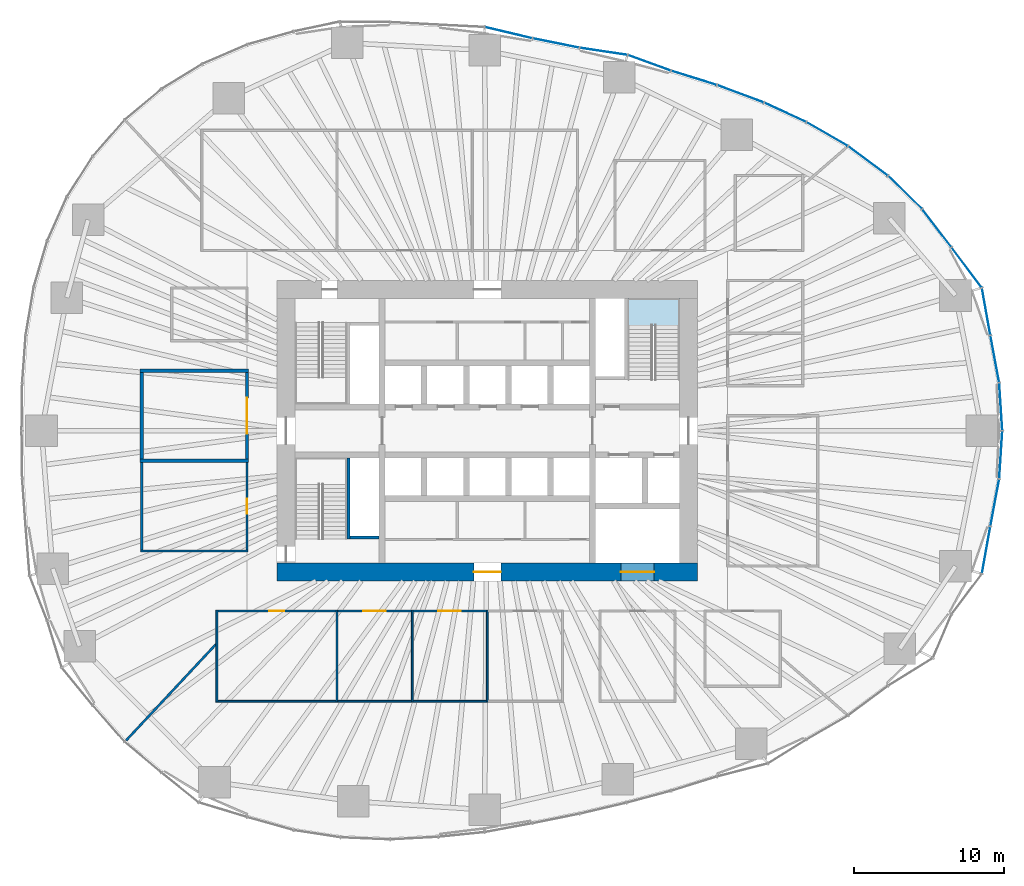
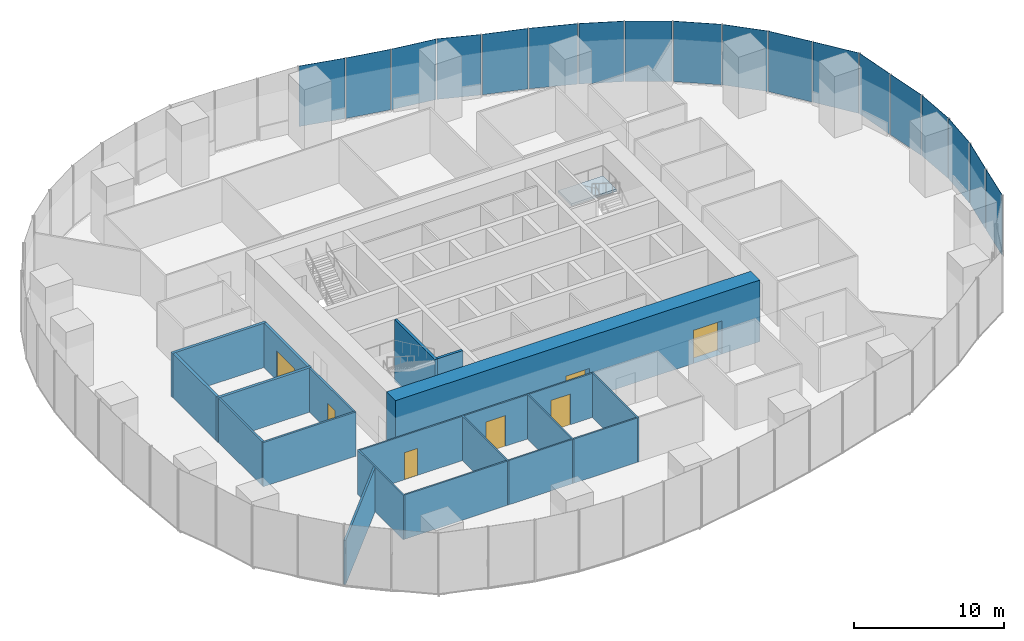
# One storey, part 9 of 20: 21 walls, 18 plates, 7 doors, 1 slab, 7 openings, 7 elements without a shape of their own.
"""IFC4 building model written with IfcOpenShell, lengths in metres."""

from ifc_helpers import new_model, si_unit, direction, frame, frame_2d, origin, origin_2d, place, context, subcontext, project, spatial, polyline, rectangle, outline, extrude, material, layer, layer_set, type_object, element, fill, aggregate, save


model = new_model("IFC4")

# Units and contexts
model_context = context("Model", 3, precision=1e-05, world=origin(), true_north=direction((0.0, 1.0)))
body_context = subcontext(model_context, "Body", "Model", "MODEL_VIEW")
ifc_project = project(units=[si_unit("LENGTHUNIT", "METRE"), si_unit("AREAUNIT", "SQUARE_METRE"), si_unit("VOLUMEUNIT", "CUBIC_METRE"), si_unit("PLANEANGLEUNIT", "RADIAN"), si_unit("MASSUNIT", "GRAM", prefix="KILO")], contexts=[model_context])

# Site, building, storey
site_placement = place(None, origin())
site = spatial("IfcSite", under=ifc_project, at=site_placement, CompositionType="ELEMENT")
building_placement = place(site_placement, origin())
building = spatial("IfcBuilding", under=site, at=building_placement, Name="Ghaith Harvest Tower", CompositionType="ELEMENT")
storey_placement = place(building_placement, frame((0.0, 0.0, 20.0)))
storey = spatial("IfcBuildingStorey", under=building, at=storey_placement, Name="L04", CompositionType="ELEMENT", Elevation=20.0)

# Curtain wall, plates
ifc_material_1 = material(Name="Black anodised aluminium and fritted glass", Category="aluminium")
curtain_wall_type = type_object("IfcCurtainWallType", Name="CW-F CURTAIN WALL", PredefinedType="NOTDEFINED", material=ifc_material_1)
curtain_wall_1_placement = place(storey_placement, origin())
curtain_wall_1 = element("IfcCurtainWall", 1, at=curtain_wall_1_placement, inside=storey, type_object=curtain_wall_type, Name="Curtain wall CW-F bay 01 L04", PredefinedType="NOTDEFINED")
ifc_material_2 = material(Name="Glass, high-transmission fritted double glazed unit", Category="glass")
ifc_layer_1 = layer(ifc_material_2, 0.028076171875)
ifc_layer_set_1 = layer_set([ifc_layer_1], Name="CW-F VISION PANEL")
plate_type = type_object("IfcPlateType", Name="CW-F VISION PANEL", PredefinedType="CURTAIN_PANEL", material=ifc_layer_set_1)
plate_1_placement = place(storey_placement, frame((34.181396484375, 1.602783203125, 0.080078125), z_axis=(0.0, 0.0, 1.0), x_axis=(-0.064445645786, 0.997921218704, 0.0)))
plate_1 = element("IfcPlate", 2, at=plate_1_placement, type_object=plate_type, Name="CW-F panel 1 bay 01 L04", PredefinedType="CURTAIN_PANEL", context=body_context, shape_type="SweptSolid", body=[
    extrude(rectangle(XDim=3.132080078125, YDim=0.028076171875, at=origin_2d()), origin(), (0.0, 0.0, 1.0), 4.919921875),
])
plate_2_placement = place(storey_placement, frame((33.78369140625, 4.78076171875, 0.080078125), z_axis=(0.0, 0.0, 1.0), x_axis=(-0.183569249502, 0.983006780565, 0.0)))
plate_2 = element("IfcPlate", 3, at=plate_2_placement, type_object=plate_type, Name="CW-F panel 2 bay 01 L04", PredefinedType="CURTAIN_PANEL", context=body_context, shape_type="SweptSolid", body=[
    extrude(rectangle(XDim=3.12548828125, YDim=0.028076171875, at=origin_2d()), origin(), (0.0, 0.0, 1.0), 4.919921875),
])
plate_3_placement = place(storey_placement, frame((33.20654296875, 7.93603515625, 0.080078125), z_axis=(0.0, 0.0, 1.0), x_axis=(-0.176319663586, 0.984332960046, 0.0)))
plate_3 = element("IfcPlate", 4, at=plate_3_placement, type_object=plate_type, Name="CW-F panel 3 bay 01 L04", PredefinedType="CURTAIN_PANEL", context=body_context, shape_type="SweptSolid", body=[
    extrude(rectangle(XDim=3.129638671875, YDim=0.028076171875, at=origin_2d()), origin(), (0.0, 0.0, 1.0), 4.919921875),
])
aggregate(curtain_wall_1, [plate_1, plate_2, plate_3])

curtain_wall_2_placement = place(storey_placement, origin())
curtain_wall_2 = element("IfcCurtainWall", 5, at=curtain_wall_2_placement, inside=storey, type_object=curtain_wall_type, Name="Curtain wall CW-F bay 02 L04", PredefinedType="NOTDEFINED")
plate_4_placement = place(storey_placement, frame((31.91015625, 10.865234375, 0.080078125), z_axis=(0.0, 0.0, 1.0), x_axis=(-0.600454091192, 0.799659230154, 0.0)))
plate_4 = element("IfcPlate", 6, at=plate_4_placement, type_object=plate_type, Name="CW-F panel 1 bay 02 L04", PredefinedType="CURTAIN_PANEL", context=body_context, shape_type="SweptSolid", body=[
    extrude(rectangle(XDim=3.295654296875, YDim=0.028076171875, at=origin_2d()), origin(), (0.0, 0.0, 1.0), 4.919921875),
])
plate_5_placement = place(storey_placement, frame((29.921875, 13.4892578125, 0.080078125), z_axis=(0.0, 0.0, 1.0), x_axis=(-0.607611877494, 0.794234100457, 0.0)))
plate_5 = element("IfcPlate", 7, at=plate_5_placement, type_object=plate_type, Name="CW-F panel 2 bay 02 L04", PredefinedType="CURTAIN_PANEL", context=body_context, shape_type="SweptSolid", body=[
    extrude(rectangle(XDim=3.128662109375, YDim=0.028076171875, at=origin_2d()), origin(), (0.0, 0.0, 1.0), 4.919921875),
])
plate_6_placement = place(storey_placement, frame((27.810546875, 15.869384765625, 0.080078125), z_axis=(0.0, 0.0, 1.0), x_axis=(-0.716691335472, 0.69739051446, 0.0)))
plate_6 = element("IfcPlate", 8, at=plate_6_placement, type_object=plate_type, Name="CW-F panel 3 bay 02 L04", PredefinedType="CURTAIN_PANEL", context=body_context, shape_type="SweptSolid", body=[
    extrude(rectangle(XDim=3.092041015625, YDim=0.028076171875, at=origin_2d()), origin(), (0.0, 0.0, 1.0), 4.919921875),
])
aggregate(curtain_wall_2, [plate_4, plate_5, plate_6])

curtain_wall_3_placement = place(storey_placement, origin())
curtain_wall_3 = element("IfcCurtainWall", 9, at=curtain_wall_3_placement, inside=storey, type_object=curtain_wall_type, Name="Curtain wall CW-F bay 03 L04", PredefinedType="NOTDEFINED")
plate_7_placement = place(storey_placement, frame((25.34619140625, 17.96142578125, 0.080078125), z_axis=(0.0, 0.0, 1.0), x_axis=(-0.802866788578, 0.596158468697, 0.0)))
plate_7 = element("IfcPlate", 10, at=plate_7_placement, type_object=plate_type, Name="CW-F panel 1 bay 03 L04", PredefinedType="CURTAIN_PANEL", context=body_context, shape_type="SweptSolid", body=[
    extrude(rectangle(XDim=3.2275390625, YDim=0.028076171875, at=origin_2d()), origin(), (0.0, 0.0, 1.0), 4.919921875),
])
plate_8_placement = place(storey_placement, frame((22.626953125, 19.750244140625, 0.080078125), z_axis=(0.0, 0.0, 1.0), x_axis=(-0.866159208358, 0.499768172033, 0.0)))
plate_8 = element("IfcPlate", 11, at=plate_8_placement, type_object=plate_type, Name="CW-F panel 2 bay 03 L04", PredefinedType="CURTAIN_PANEL", context=body_context, shape_type="SweptSolid", body=[
    extrude(rectangle(XDim=3.1328125, YDim=0.028076171875, at=origin_2d()), origin(), (0.0, 0.0, 1.0), 4.919921875),
])
plate_9_placement = place(storey_placement, frame((19.8291015625, 21.19970703125, 0.080078125), z_axis=(0.0, 0.0, 1.0), x_axis=(-0.908529586897, 0.417820523351, 0.0)))
plate_9 = element("IfcPlate", 12, at=plate_9_placement, type_object=plate_type, Name="CW-F panel 3 bay 03 L04", PredefinedType="CURTAIN_PANEL", context=body_context, shape_type="SweptSolid", body=[
    extrude(rectangle(XDim=3.01611328125, YDim=0.028076171875, at=origin_2d()), origin(), (0.0, 0.0, 1.0), 4.919921875),
])
aggregate(curtain_wall_3, [plate_7, plate_8, plate_9])

curtain_wall_4_placement = place(storey_placement, origin())
curtain_wall_4 = element("IfcCurtainWall", 13, at=curtain_wall_4_placement, inside=storey, type_object=curtain_wall_type, Name="Curtain wall CW-F bay 04 L04", PredefinedType="NOTDEFINED")
plate_10_placement = place(storey_placement, frame((16.85498046875, 22.431396484375, 0.080078125), z_axis=(0.0, 0.0, 1.0), x_axis=(-0.936926487964, 0.349526474178, 0.0)))
plate_10 = element("IfcPlate", 14, at=plate_10_placement, type_object=plate_type, Name="CW-F panel 1 bay 04 L04", PredefinedType="CURTAIN_PANEL", context=body_context, shape_type="SweptSolid", body=[
    extrude(rectangle(XDim=3.26611328125, YDim=0.028076171875, at=origin_2d()), origin(), (0.0, 0.0, 1.0), 4.919921875),
])
plate_11_placement = place(storey_placement, frame((13.760986328125, 23.490234375, 0.080078125), z_axis=(0.0, 0.0, 1.0), x_axis=(-0.954988265421, 0.296643578911, 0.0)))
plate_11 = element("IfcPlate", 15, at=plate_11_placement, type_object=plate_type, Name="CW-F panel 2 bay 04 L04", PredefinedType="CURTAIN_PANEL", context=body_context, shape_type="SweptSolid", body=[
    extrude(rectangle(XDim=3.1171875, YDim=0.028076171875, at=origin_2d()), origin(), (0.0, 0.0, 1.0), 4.919921875),
])
plate_12_placement = place(storey_placement, frame((10.793212890625, 24.490234375, 0.080078125), z_axis=(0.0, 0.0, 1.0), x_axis=(-0.939438435482, 0.342717705902, 0.0)))
plate_12 = element("IfcPlate", 16, at=plate_12_placement, type_object=plate_type, Name="CW-F panel 3 bay 04 L04", PredefinedType="CURTAIN_PANEL", context=body_context, shape_type="SweptSolid", body=[
    extrude(rectangle(XDim=2.98828125, YDim=0.028076171875, at=origin_2d()), origin(), (0.0, 0.0, 1.0), 4.919921875),
])
aggregate(curtain_wall_4, [plate_10, plate_11, plate_12])

curtain_wall_5_placement = place(storey_placement, origin())
curtain_wall_5 = element("IfcCurtainWall", 17, at=curtain_wall_5_placement, inside=storey, type_object=curtain_wall_type, Name="Curtain wall CW-F bay 05 L04", PredefinedType="NOTDEFINED")
plate_13_placement = place(storey_placement, frame((7.744384765625, 25.255615234375, 0.080078125), z_axis=(0.0, 0.0, 1.0), x_axis=(-0.989074249382, 0.147418211935, 0.0)))
plate_13 = element("IfcPlate", 18, at=plate_13_placement, type_object=plate_type, Name="CW-F panel 1 bay 05 L04", PredefinedType="CURTAIN_PANEL", context=body_context, shape_type="SweptSolid", body=[
    extrude(rectangle(XDim=3.17041015625, YDim=0.028076171875, at=origin_2d()), origin(), (0.0, 0.0, 1.0), 4.919921875),
])
plate_14_placement = place(storey_placement, frame((4.5732421875, 25.809326171875, 0.080078125), z_axis=(0.0, 0.0, 1.0), x_axis=(-0.980432348069, 0.196856320344, 0.0)))
plate_14 = element("IfcPlate", 19, at=plate_14_placement, type_object=plate_type, Name="CW-F panel 2 bay 05 L04", PredefinedType="CURTAIN_PANEL", context=body_context, shape_type="SweptSolid", body=[
    extrude(rectangle(XDim=3.1103515625, YDim=0.028076171875, at=origin_2d()), origin(), (0.0, 0.0, 1.0), 4.919921875),
])
plate_15_placement = place(storey_placement, frame((1.41259765625, 26.500244140625, 0.080078125), z_axis=(0.0, 0.0, 1.0), x_axis=(-0.97324595378, 0.229765779545, 0.0)))
plate_15 = element("IfcPlate", 20, at=plate_15_placement, type_object=plate_type, Name="CW-F panel 3 bay 05 L04", PredefinedType="CURTAIN_PANEL", context=body_context, shape_type="SweptSolid", body=[
    extrude(rectangle(XDim=3.200927734375, YDim=0.028076171875, at=origin_2d()), origin(), (0.0, 0.0, 1.0), 4.919921875),
])
aggregate(curtain_wall_5, [plate_13, plate_14, plate_15])

curtain_wall_6_placement = place(storey_placement, origin())
curtain_wall_6 = element("IfcCurtainWall", 21, at=curtain_wall_6_placement, inside=storey, type_object=curtain_wall_type, Name="Curtain wall CW-F bay 20 L04", PredefinedType="NOTDEFINED")
plate_16_placement = place(storey_placement, frame((33.20654296875, -7.93603515625, 0.080078125), z_axis=(0.0, 0.0, 1.0), x_axis=(0.176319663878, 0.984332959994, 0.0)))
plate_16 = element("IfcPlate", 22, at=plate_16_placement, type_object=plate_type, Name="CW-F panel 1 bay 20 L04", PredefinedType="CURTAIN_PANEL", context=body_context, shape_type="SweptSolid", body=[
    extrude(rectangle(XDim=3.129638671875, YDim=0.028076171875, at=origin_2d()), origin(), (0.0, 0.0, 1.0), 4.919921875),
])
plate_17_placement = place(storey_placement, frame((33.78369140625, -4.78076171875, 0.080078125), z_axis=(0.0, 0.0, 1.0), x_axis=(0.183569249777, 0.983006780514, 0.0)))
plate_17 = element("IfcPlate", 23, at=plate_17_placement, type_object=plate_type, Name="CW-F panel 2 bay 20 L04", PredefinedType="CURTAIN_PANEL", context=body_context, shape_type="SweptSolid", body=[
    extrude(rectangle(XDim=3.12548828125, YDim=0.028076171875, at=origin_2d()), origin(), (0.0, 0.0, 1.0), 4.919921875),
])
plate_18_placement = place(storey_placement, frame((34.181396484375, -1.602783203125, 0.080078125), z_axis=(0.0, 0.0, 1.0), x_axis=(0.064445645891, 0.997921218697, 0.0)))
plate_18 = element("IfcPlate", 24, at=plate_18_placement, type_object=plate_type, Name="CW-F panel 3 bay 20 L04", PredefinedType="CURTAIN_PANEL", context=body_context, shape_type="SweptSolid", body=[
    extrude(rectangle(XDim=3.132080078125, YDim=0.028076171875, at=origin_2d()), origin(), (0.0, 0.0, 1.0), 4.919921875),
])
aggregate(curtain_wall_6, [plate_16, plate_17, plate_18])

# Stair, slab
ifc_material_3 = material(Name="Concrete C40/50, precast", Category="concrete")
stair_type = type_object("IfcStairType", Name="CORE STAIR 28R", PredefinedType="HALF_TURN_STAIR", material=ifc_material_3)
stair_placement = place(storey_placement, origin())
stair = element("IfcStair", 25, at=stair_placement, inside=storey, type_object=stair_type, Name="Stair ST2 L04", PredefinedType="HALF_TURN_STAIR")
ifc_material_4 = material(Name="Concrete C40/50, precast", Category="concrete")
ifc_layer_2 = layer(ifc_material_4, 0.179931640625)
ifc_layer_set_2 = layer_set([ifc_layer_2], Name="STAIR LANDING 180")
slab_type = type_object("IfcSlabType", Name="STAIR LANDING 180", PredefinedType="LANDING", material=ifc_layer_set_2)
slab_placement = place(storey_placement, frame((0.0, 0.0, 2.320068359375)))
slab = element("IfcSlab", 26, at=slab_placement, type_object=slab_type, Name="ST2 landing 1", PredefinedType="LANDING", context=body_context, shape_type="SweptSolid", body=[
    extrude(outline(polyline([(12.800048828125, 7.02001953125), (12.800048828125, 8.800048828125), (9.35009765625, 8.800048828125), (9.35009765625, 7.02001953125), (12.800048828125, 7.02001953125)])), origin(), (0.0, 0.0, 1.0), 0.179931640625),
])
aggregate(stair, [slab])

# Walls
ifc_material_5 = material(Name="Concrete blockwork, 1-hour", Category="masonry")
ifc_layer_3 = layer(ifc_material_5, 0.215087890625)
ifc_layer_set_3 = layer_set([ifc_layer_3], Name="BLOCKWORK WALL 215")
wall_type_1 = type_object("IfcWallType", Name="BLOCKWORK WALL 215", PredefinedType="PARTITIONING", material=ifc_layer_set_3)
for number, where, z_axis, x_axis, name in (
    (27, (-15.892578125, -2.0, 0.0), (0.0, 0.0, 1.0), (-1.0, 0.0, 0.0), "Partition L04 row W6 cross wall 2"),
    (28, (-15.892578125, 4.0, 0.0), (0.0, 0.0, 1.0), (-1.0, 0.0, 0.0), "Partition L04 row W6 cross wall 3"),
):
    element("IfcWall", number, at=place(storey_placement, frame(where, z_axis=z_axis, x_axis=x_axis)), inside=storey, type_object=wall_type_1, Name=name, PredefinedType="PARTITIONING", context=body_context, shape_type="SweptSolid", body=[
        extrude(rectangle(XDim=7.21484375, YDim=0.215087890625, at=frame_2d((3.607421875, 0.0))), origin(), (0.0, 0.0, 1.0), 3.60009765625),
    ])

# Wall, opening, door
wall_1_placement = place(storey_placement, frame((-16.0, -1.892578125, 0.0), z_axis=(0.0, 0.0, 1.0), x_axis=(0.0, 1.0, 0.0)))
wall_1 = element("IfcWall", 29, at=wall_1_placement, inside=storey, type_object=wall_type_1, Name="Partition L04-13", PredefinedType="PARTITIONING", context=body_context, shape_type="SweptSolid", body=[
    extrude(rectangle(XDim=5.78515625, YDim=0.215087890625, at=frame_2d((2.892578125, 0.0))), origin(), (0.0, 0.0, 1.0), 3.60009765625),
])
opening_1_placement = place(wall_1_placement, frame((1.6923828125, 0.0, 0.0)))
opening_1 = element("IfcOpeningElement", 30, at=opening_1_placement, cuts=wall_1, Name="Opening 04-036", PredefinedType="OPENING", context=body_context, shape_type="SweptSolid", body=[
    extrude(rectangle(XDim=2.39990234375, YDim=2.39990234375, at=frame_2d((1.199951171875, 1.199951171875))), frame((0.0, 0.11767578125, 0.0), z_axis=(0.0, -1.0, 0.0), x_axis=(1.0, 0.0, 0.0)), (0.0, 0.0, 1.0), 0.235107421875),
])
ifc_material_6 = material(Name="Timber door", Category="wood")
door_type_1 = type_object("IfcDoorType", Name="D10 PLANT PAIR 2400x2400", OperationType="DOUBLE_DOOR_SINGLE_SWING", PredefinedType="DOOR", material=ifc_material_6)
door_1_placement = place(opening_1_placement, origin())
door_1 = element("IfcDoor", 31, at=door_1_placement, inside=storey, type_object=door_type_1, Name="Nutrient tank room door", OperationType="DOUBLE_DOOR_SINGLE_SWING", OverallHeight=2.39990234375, OverallWidth=2.39990234375, PredefinedType="DOOR", context=body_context, shape_type="SweptSolid", body=[
    extrude(rectangle(XDim=2.39990234375, YDim=2.39990234375, at=frame_2d((1.199951171875, 1.199951171875))), frame((0.0, 0.02490234375, 0.0), z_axis=(0.0, -1.0, 0.0), x_axis=(1.0, 0.0, 0.0)), (0.0, 0.0, 1.0), 0.050048828125),
])
fill(opening_1, door_1)

# Wall
wall_2_placement = place(storey_placement, frame((-23.0, -1.892578125, 0.0), z_axis=(0.0, 0.0, 1.0), x_axis=(0.0, 1.0, 0.0)))
element("IfcWall", 32, at=wall_2_placement, inside=storey, type_object=wall_type_1, Name="Partition L04-13", PredefinedType="PARTITIONING", context=body_context, shape_type="SweptSolid", body=[
    extrude(rectangle(XDim=5.78515625, YDim=0.215087890625, at=frame_2d((2.892578125, 0.0))), origin(), (0.0, 0.0, 1.0), 3.60009765625),
])

# Wall, openings, doors
ifc_material_7 = material(Name="Concrete C70/85", Category="concrete")
ifc_layer_4 = layer(ifc_material_7, 1.199951171875)
ifc_layer_set_4 = layer_set([ifc_layer_4], Name="CORE WALL CW1200")
wall_type_2 = type_object("IfcWallType", Name="CORE WALL CW1200", PredefinedType="SHEAR", material=ifc_layer_set_4)
wall_3_placement = place(storey_placement, frame((-14.0, -9.39990234375, 0.0), z_axis=(0.0, 0.0, 1.0), x_axis=(1.0, 0.0, 0.0)))
wall_3 = element("IfcWall", 33, at=wall_3_placement, inside=storey, type_object=wall_type_2, Name="Core wall S L04", PredefinedType="SHEAR", context=body_context, shape_type="SweptSolid", body=[
    extrude(rectangle(XDim=28.0, YDim=1.199951171875, at=frame_2d((14.0, 0.0))), origin(), (0.0, 0.0, 1.0), 5.0),
])
opening_2_placement = place(wall_3_placement, frame((13.10009765625, 0.0, 0.0)))
opening_2 = element("IfcOpeningElement", 34, at=opening_2_placement, cuts=wall_3, Name="Opening 04-016", PredefinedType="OPENING", context=body_context, shape_type="SweptSolid", body=[
    extrude(rectangle(XDim=1.800048828125, YDim=2.39990234375, at=frame_2d((0.89990234375, 1.199951171875))), frame((0.0, 0.60986328125, 0.0), z_axis=(0.0, -1.0, 0.0), x_axis=(1.0, 0.0, 0.0)), (0.0, 0.0, 1.0), 1.219970703125),
])
opening_3_placement = place(wall_3_placement, frame((22.89990234375, 0.0, 0.0)))
opening_3 = element("IfcOpeningElement", 35, at=opening_3_placement, cuts=wall_3, Name="Opening 04-023", PredefinedType="OPENING", context=body_context, shape_type="SweptSolid", body=[
    extrude(rectangle(XDim=2.199951171875, YDim=2.699951171875, at=frame_2d((1.10009765625, 1.35009765625))), frame((0.0, 0.60986328125, 0.0), z_axis=(0.0, -1.0, 0.0), x_axis=(1.0, 0.0, 0.0)), (0.0, 0.0, 1.0), 1.219970703125),
])
ifc_material_8 = material(Name="Steel fire door", Category="steel")
door_type_2 = type_object("IfcDoorType", Name="D4 FD90 PAIR 1800x2400", OperationType="DOUBLE_DOOR_SINGLE_SWING", PredefinedType="DOOR", material=ifc_material_8)
door_2_placement = place(opening_2_placement, origin())
door_2 = element("IfcDoor", 36, at=door_2_placement, inside=storey, type_object=door_type_2, Name="Core service corridor doors", OperationType="DOUBLE_DOOR_SINGLE_SWING", OverallHeight=2.39990234375, OverallWidth=1.800048828125, PredefinedType="DOOR", context=body_context, shape_type="SweptSolid", body=[
    extrude(rectangle(XDim=1.800048828125, YDim=2.39990234375, at=frame_2d((0.89990234375, 1.199951171875))), frame((0.0, 0.02490234375, 0.0), z_axis=(0.0, -1.0, 0.0), x_axis=(1.0, 0.0, 0.0)), (0.0, 0.0, 1.0), 0.050048828125),
])
fill(opening_2, door_2)
ifc_material_9 = material(Name="Steel fire door", Category="steel")
door_type_3 = type_object("IfcDoorType", Name="LD3 LANDING 2200x2700", OperationType="DOUBLE_DOOR_SLIDING", PredefinedType="DOOR", material=ifc_material_9)
door_3_placement = place(opening_3_placement, origin())
door_3 = element("IfcDoor", 37, at=door_3_placement, inside=storey, type_object=door_type_3, Name="Landing door, goods lift GL1", OperationType="DOUBLE_DOOR_SLIDING", OverallHeight=2.699951171875, OverallWidth=2.199951171875, PredefinedType="DOOR", context=body_context, shape_type="SweptSolid", body=[
    extrude(rectangle(XDim=2.199951171875, YDim=2.699951171875, at=frame_2d((1.10009765625, 1.35009765625))), frame((0.0, 0.02490234375, 0.0), z_axis=(0.0, -1.0, 0.0), x_axis=(1.0, 0.0, 0.0)), (0.0, 0.0, 1.0), 0.050048828125),
])
fill(opening_3, door_3)

# Walls
ifc_material_10 = material(Name="Insulated food-grade panel", Category="steel")
ifc_layer_5 = layer(ifc_material_10, 0.1201171875)
ifc_layer_set_5 = layer_set([ifc_layer_5], Name="INSULATED PANEL WALL 120")
wall_type_3 = type_object("IfcWallType", Name="INSULATED PANEL WALL 120", PredefinedType="PARTITIONING", material=ifc_layer_set_5)
for number, where, z_axis, x_axis, name in (
    (38, (-18.0, -11.93994140625, 0.0), (0.0, 0.0, 1.0), (0.0, -1.0, 0.0), "Partition L04 row S3 cross wall 1"),
    (39, (-10.0, -11.93994140625, 0.0), (0.0, 0.0, 1.0), (0.0, -1.0, 0.0), "Partition L04 row S3 cross wall 2"),
    (40, (-5.0, -11.93994140625, 0.0), (0.0, 0.0, 1.0), (0.0, -1.0, 0.0), "Partition L04 row S3 cross wall 3"),
    (41, (0.0, -11.93994140625, 0.0), (0.0, 0.0, 1.0), (0.0, -1.0, 0.0), "Partition L04 row S3 cross wall 4"),
):
    element("IfcWall", number, at=place(storey_placement, frame(where, z_axis=z_axis, x_axis=x_axis)), inside=storey, type_object=wall_type_3, Name=name, PredefinedType="PARTITIONING", context=body_context, shape_type="SweptSolid", body=[
        extrude(rectangle(XDim=6.1201171875, YDim=0.1201171875, at=frame_2d((3.06005859375, 0.0))), origin(), (0.0, 0.0, 1.0), 3.60009765625),
    ])

# Wall, opening, door
wall_4_placement = place(storey_placement, frame((-17.93994140625, -12.0, 0.0), z_axis=(0.0, 0.0, 1.0), x_axis=(1.0, 0.0, 0.0)))
wall_4 = element("IfcWall", 42, at=wall_4_placement, inside=storey, type_object=wall_type_3, Name="Partition L04-05", PredefinedType="PARTITIONING", context=body_context, shape_type="SweptSolid", body=[
    extrude(rectangle(XDim=7.8798828125, YDim=0.1201171875, at=frame_2d((3.93994140625, 0.0))), origin(), (0.0, 0.0, 1.0), 3.60009765625),
])
opening_4_placement = place(wall_4_placement, frame((3.43994140625, 0.0, 0.0)))
opening_4 = element("IfcOpeningElement", 43, at=opening_4_placement, cuts=wall_4, Name="Opening 04-028", PredefinedType="OPENING", context=body_context, shape_type="SweptSolid", body=[
    extrude(rectangle(XDim=1.0, YDim=2.199951171875, at=frame_2d((0.5, 1.10009765625))), frame((0.0, 0.070068359375, 0.0), z_axis=(0.0, -1.0, 0.0), x_axis=(1.0, 0.0, 0.0)), (0.0, 0.0, 1.0), 0.14013671875),
])
ifc_material_11 = material(Name="Timber door", Category="wood")
door_type_4 = type_object("IfcDoorType", Name="D1 SINGLE 1000x2200", OperationType="SINGLE_SWING_LEFT", PredefinedType="DOOR", material=ifc_material_11)
door_4_placement = place(opening_4_placement, origin())
door_4 = element("IfcDoor", 44, at=door_4_placement, inside=storey, type_object=door_type_4, Name="Seed library door", OperationType="SINGLE_SWING_LEFT", OverallHeight=2.199951171875, OverallWidth=1.0, PredefinedType="DOOR", context=body_context, shape_type="SweptSolid", body=[
    extrude(rectangle(XDim=1.0, YDim=2.199951171875, at=frame_2d((0.5, 1.10009765625))), frame((0.0, 0.02490234375, 0.0), z_axis=(0.0, -1.0, 0.0), x_axis=(1.0, 0.0, 0.0)), (0.0, 0.0, 1.0), 0.050048828125),
])
fill(opening_4, door_4)

# Wall
wall_5_placement = place(storey_placement, frame((-17.93994140625, -18.0, 0.0), z_axis=(0.0, 0.0, 1.0), x_axis=(1.0, 0.0, 0.0)))
element("IfcWall", 45, at=wall_5_placement, inside=storey, type_object=wall_type_3, Name="Partition L04-05", PredefinedType="PARTITIONING", context=body_context, shape_type="SweptSolid", body=[
    extrude(rectangle(XDim=7.8798828125, YDim=0.1201171875, at=frame_2d((3.93994140625, 0.0))), origin(), (0.0, 0.0, 1.0), 3.60009765625),
])

# Wall, opening, door
wall_6_placement = place(storey_placement, frame((-9.93994140625, -12.0, 0.0), z_axis=(0.0, 0.0, 1.0), x_axis=(1.0, 0.0, 0.0)))
wall_6 = element("IfcWall", 46, at=wall_6_placement, inside=storey, type_object=wall_type_3, Name="Partition L04-06", PredefinedType="PARTITIONING", context=body_context, shape_type="SweptSolid", body=[
    extrude(rectangle(XDim=4.8798828125, YDim=0.1201171875, at=frame_2d((2.43994140625, 0.0))), origin(), (0.0, 0.0, 1.0), 3.60009765625),
])
opening_5_placement = place(wall_6_placement, frame((1.68994140625, 0.0, 0.0)))
opening_5 = element("IfcOpeningElement", 47, at=opening_5_placement, cuts=wall_6, Name="Opening 04-029", PredefinedType="OPENING", context=body_context, shape_type="SweptSolid", body=[
    extrude(rectangle(XDim=1.5, YDim=2.5, at=frame_2d((0.75, 1.25))), frame((0.0, 0.070068359375, 0.0), z_axis=(0.0, -1.0, 0.0), x_axis=(1.0, 0.0, 0.0)), (0.0, 0.0, 1.0), 0.14013671875),
])
ifc_material_12 = material(Name="Insulated steel sliding door", Category="steel")
door_type_5 = type_object("IfcDoorType", Name="D13 COLD STORE SLIDING 1500x2500", OperationType="SLIDING_TO_LEFT", PredefinedType="DOOR", material=ifc_material_12)
door_5_placement = place(opening_5_placement, origin())
door_5 = element("IfcDoor", 48, at=door_5_placement, inside=storey, type_object=door_type_5, Name="Germination room door", OperationType="SLIDING_TO_LEFT", OverallHeight=2.5, OverallWidth=1.5, PredefinedType="DOOR", context=body_context, shape_type="SweptSolid", body=[
    extrude(rectangle(XDim=1.5, YDim=2.5, at=frame_2d((0.75, 1.25))), frame((0.0, 0.02490234375, 0.0), z_axis=(0.0, -1.0, 0.0), x_axis=(1.0, 0.0, 0.0)), (0.0, 0.0, 1.0), 0.050048828125),
])
fill(opening_5, door_5)

# Wall
wall_7_placement = place(storey_placement, frame((-9.93994140625, -18.0, 0.0), z_axis=(0.0, 0.0, 1.0), x_axis=(1.0, 0.0, 0.0)))
element("IfcWall", 49, at=wall_7_placement, inside=storey, type_object=wall_type_3, Name="Partition L04-06", PredefinedType="PARTITIONING", context=body_context, shape_type="SweptSolid", body=[
    extrude(rectangle(XDim=4.8798828125, YDim=0.1201171875, at=frame_2d((2.43994140625, 0.0))), origin(), (0.0, 0.0, 1.0), 3.60009765625),
])

# Wall, opening, door
wall_8_placement = place(storey_placement, frame((-4.93994140625, -12.0, 0.0), z_axis=(0.0, 0.0, 1.0), x_axis=(1.0, 0.0, 0.0)))
wall_8 = element("IfcWall", 50, at=wall_8_placement, inside=storey, type_object=wall_type_3, Name="Partition L04-07", PredefinedType="PARTITIONING", context=body_context, shape_type="SweptSolid", body=[
    extrude(rectangle(XDim=4.8798828125, YDim=0.1201171875, at=frame_2d((2.43994140625, 0.0))), origin(), (0.0, 0.0, 1.0), 3.60009765625),
])
opening_6_placement = place(wall_8_placement, frame((1.68994140625, 0.0, 0.0)))
opening_6 = element("IfcOpeningElement", 51, at=opening_6_placement, cuts=wall_8, Name="Opening 04-030", PredefinedType="OPENING", context=body_context, shape_type="SweptSolid", body=[
    extrude(rectangle(XDim=1.5, YDim=2.5, at=frame_2d((0.75, 1.25))), frame((0.0, 0.070068359375, 0.0), z_axis=(0.0, -1.0, 0.0), x_axis=(1.0, 0.0, 0.0)), (0.0, 0.0, 1.0), 0.14013671875),
])
door_6_placement = place(opening_6_placement, origin())
door_6 = element("IfcDoor", 52, at=door_6_placement, inside=storey, type_object=door_type_5, Name="Germination room door", OperationType="SLIDING_TO_LEFT", OverallHeight=2.5, OverallWidth=1.5, PredefinedType="DOOR", context=body_context, shape_type="SweptSolid", body=[
    extrude(rectangle(XDim=1.5, YDim=2.5, at=frame_2d((0.75, 1.25))), frame((0.0, 0.02490234375, 0.0), z_axis=(0.0, -1.0, 0.0), x_axis=(1.0, 0.0, 0.0)), (0.0, 0.0, 1.0), 0.050048828125),
])
fill(opening_6, door_6)

# Walls
wall_9_placement = place(storey_placement, frame((-4.93994140625, -18.0, 0.0), z_axis=(0.0, 0.0, 1.0), x_axis=(1.0, 0.0, 0.0)))
element("IfcWall", 53, at=wall_9_placement, inside=storey, type_object=wall_type_3, Name="Partition L04-07", PredefinedType="PARTITIONING", context=body_context, shape_type="SweptSolid", body=[
    extrude(rectangle(XDim=4.8798828125, YDim=0.1201171875, at=frame_2d((2.43994140625, 0.0))), origin(), (0.0, 0.0, 1.0), 3.60009765625),
])
ifc_material_13 = material(Name="Gypsum board on steel studs", Category="steel")
ifc_layer_6 = layer(ifc_material_13, 0.14990234375)
ifc_layer_set_6 = layer_set([ifc_layer_6], Name="PARTITION 150")
wall_type_4 = type_object("IfcWallType", Name="PARTITION 150", PredefinedType="PARTITIONING", material=ifc_layer_set_6)
wall_10_placement = place(storey_placement, frame((-15.925048828125, -8.0, 0.0), z_axis=(0.0, 0.0, 1.0), x_axis=(-1.0, 0.0, 0.0)))
element("IfcWall", 54, at=wall_10_placement, inside=storey, type_object=wall_type_4, Name="Partition L04 row W6 cross wall 1", PredefinedType="PARTITIONING", context=body_context, shape_type="SweptSolid", body=[
    extrude(rectangle(XDim=7.14990234375, YDim=0.14990234375, at=frame_2d((3.574951171875, 0.0))), origin(), (0.0, 0.0, 1.0), 3.60009765625),
])

# Wall, opening, door
wall_11_placement = place(storey_placement, frame((-16.0, -7.925048828125, 0.0), z_axis=(0.0, 0.0, 1.0), x_axis=(0.0, 1.0, 0.0)))
wall_11 = element("IfcWall", 55, at=wall_11_placement, inside=storey, type_object=wall_type_4, Name="Partition L04-12", PredefinedType="PARTITIONING", context=body_context, shape_type="SweptSolid", body=[
    extrude(rectangle(XDim=5.817626953125, YDim=0.14990234375, at=frame_2d((2.90869140625, 0.0))), origin(), (0.0, 0.0, 1.0), 3.60009765625),
])
opening_7_placement = place(wall_11_placement, frame((2.40869140625, 0.0, 0.0)))
opening_7 = element("IfcOpeningElement", 56, at=opening_7_placement, cuts=wall_11, Name="Opening 04-035", PredefinedType="OPENING", context=body_context, shape_type="SweptSolid", body=[
    extrude(rectangle(XDim=1.0, YDim=2.199951171875, at=frame_2d((0.5, 1.10009765625))), frame((0.0, 0.0849609375, 0.0), z_axis=(0.0, -1.0, 0.0), x_axis=(1.0, 0.0, 0.0)), (0.0, 0.0, 1.0), 0.169921875),
])
door_7_placement = place(opening_7_placement, origin())
door_7 = element("IfcDoor", 57, at=door_7_placement, inside=storey, type_object=door_type_4, Name="Seed treatment room door", OperationType="SINGLE_SWING_LEFT", OverallHeight=2.199951171875, OverallWidth=1.0, PredefinedType="DOOR", context=body_context, shape_type="SweptSolid", body=[
    extrude(rectangle(XDim=1.0, YDim=2.199951171875, at=frame_2d((0.5, 1.10009765625))), frame((0.0, 0.02490234375, 0.0), z_axis=(0.0, -1.0, 0.0), x_axis=(1.0, 0.0, 0.0)), (0.0, 0.0, 1.0), 0.050048828125),
])
fill(opening_7, door_7)

# Walls
wall_12_placement = place(storey_placement, frame((-23.0, -7.925048828125, 0.0), z_axis=(0.0, 0.0, 1.0), x_axis=(0.0, 1.0, 0.0)))
element("IfcWall", 58, at=wall_12_placement, inside=storey, type_object=wall_type_4, Name="Partition L04-12", PredefinedType="PARTITIONING", context=body_context, shape_type="SweptSolid", body=[
    extrude(rectangle(XDim=5.817626953125, YDim=0.14990234375, at=frame_2d((2.90869140625, 0.0))), origin(), (0.0, 0.0, 1.0), 3.60009765625),
])
wall_13_placement = place(storey_placement, frame((-18.02001953125, -14.1630859375, 0.0), z_axis=(0.0, 0.0, 1.0), x_axis=(-0.682521563847, -0.730865456075, 0.0)))
element("IfcWall", 59, at=wall_13_placement, inside=storey, type_object=wall_type_4, Name="Partition L04 zone division", PredefinedType="PARTITIONING", context=body_context, shape_type="SweptSolid", body=[
    extrude(rectangle(XDim=8.8125, YDim=0.14990234375, at=frame_2d((4.40625, 0.0))), origin(), (0.0, 0.0, 1.0), 3.60009765625),
])
ifc_material_14 = material(Name="Concrete C40/50", Category="concrete")
ifc_layer_7 = layer(ifc_material_14, 0.199951171875)
ifc_layer_set_7 = layer_set([ifc_layer_7], Name="STAIR SPINE WALL RC200")
wall_type_5 = type_object("IfcWallType", Name="STAIR SPINE WALL RC200", PredefinedType="SOLIDWALL", material=ifc_layer_set_7)
wall_14_placement = place(storey_placement, frame((-9.25, -7.199951171875, 0.0), z_axis=(0.0, 0.0, 1.0), x_axis=(0.0, 1.0, 0.0)))
element("IfcWall", 60, at=wall_14_placement, inside=storey, type_object=wall_type_5, Name="Stair ST3 spine wall L04", PredefinedType="SOLIDWALL", context=body_context, shape_type="SweptSolid", body=[
    extrude(rectangle(XDim=5.39990234375, YDim=0.199951171875, at=frame_2d((2.699951171875, 0.0))), origin(), (0.0, 0.0, 1.0), 5.0),
])
wall_15_placement = place(storey_placement, frame((-9.14990234375, -7.10009765625, 0.0), z_axis=(0.0, 0.0, 1.0), x_axis=(1.0, 0.0, 0.0)))
element("IfcWall", 61, at=wall_15_placement, inside=storey, type_object=wall_type_5, Name="Stair ST3 spine wall return L04", PredefinedType="SOLIDWALL", context=body_context, shape_type="SweptSolid", body=[
    extrude(rectangle(XDim=1.949951171875, YDim=0.199951171875, at=frame_2d((0.97509765625, 0.0))), origin(), (0.0, 0.0, 1.0), 5.0),
])

save(model, "model.ifc")
